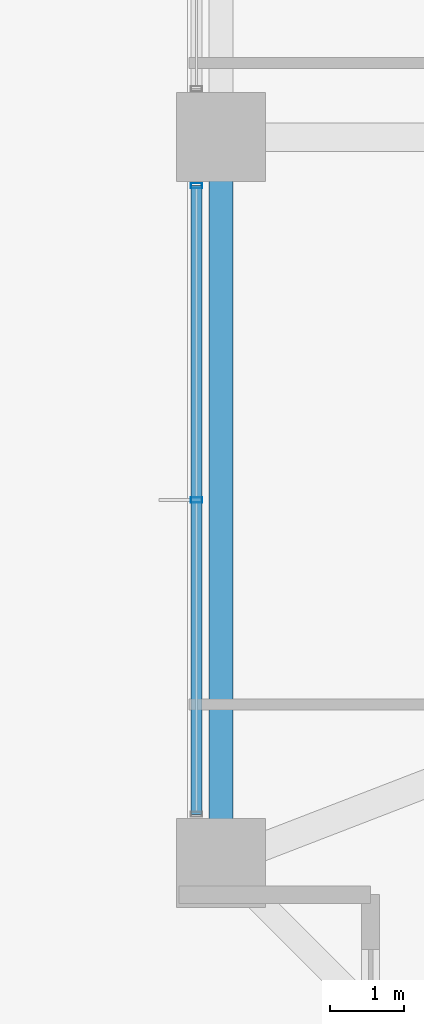
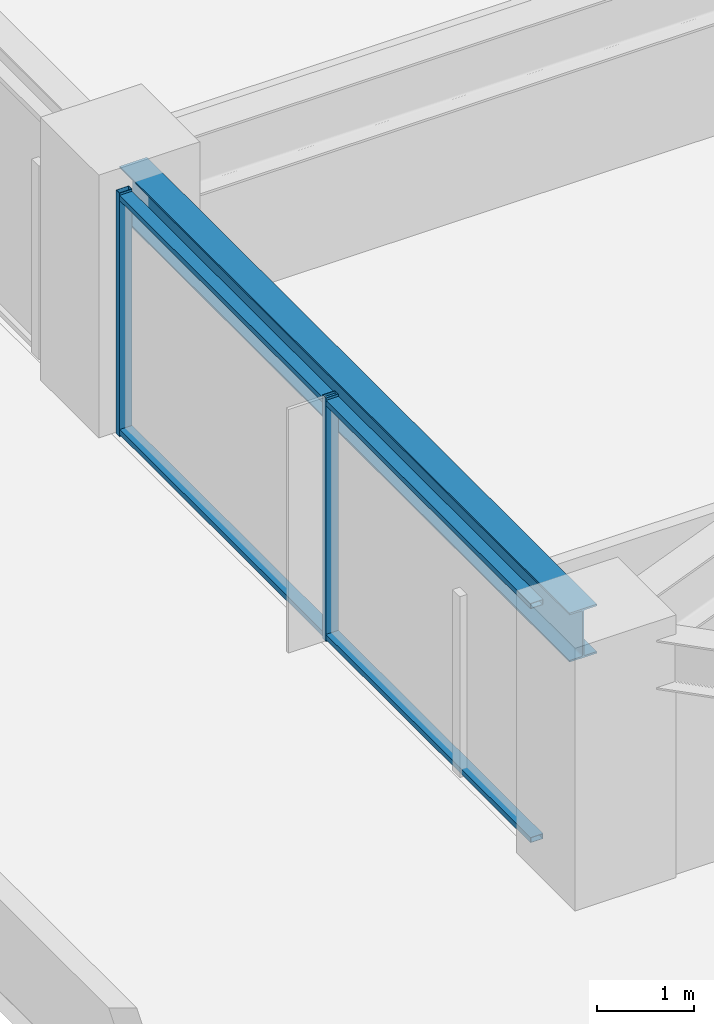
# One storey, part 6 of 36: 4 members, 1 beam, 1 element without a shape of its own.
"""IFC4 building model written with IfcOpenShell, lengths in metres."""

from ifc_helpers import new_model, si_unit, direction, frame, origin, origin_2d, place, context, subcontext, project, spatial, hollow_rectangle, i_section, extrude, material, material_profile, profile_set, type_object, element, aggregate, save


model = new_model("IFC4")

# Units and contexts
model_context = context("Model", 3, precision=1e-05, world=origin(), true_north=direction((0.0, 1.0)))
body_context = subcontext(model_context, "Body", "Model", "MODEL_VIEW")
ifc_project = project(units=[si_unit("LENGTHUNIT", "METRE"), si_unit("AREAUNIT", "SQUARE_METRE"), si_unit("VOLUMEUNIT", "CUBIC_METRE"), si_unit("PLANEANGLEUNIT", "RADIAN"), si_unit("MASSUNIT", "GRAM", prefix="KILO")], contexts=[model_context])

# Site, building, storey
site_placement = place(None, origin())
site = spatial("IfcSite", under=ifc_project, at=site_placement, CompositionType="ELEMENT")
building_placement = place(site_placement, origin())
building = spatial("IfcBuilding", under=site, at=building_placement, Name="Kolvaren Belvedere", CompositionType="ELEMENT")
storey_placement = place(building_placement, frame((0.0, 0.0, 23.800048828125)))
storey = spatial("IfcBuildingStorey", under=building, at=storey_placement, Name="L06", CompositionType="ELEMENT", Elevation=23.800048828125)

# Beam
ifc_material_1 = material(Name="Structural steel ASTM A992 Grade 50", Category="steel")
ifc_material_profile_1 = material_profile(ifc_material_1, i_section(OverallWidth=0.324951171875, OverallDepth=0.615966796875, WebThickness=0.013916015625, FlangeThickness=0.021484375, FilletRadius=0.02001953125, at=origin_2d()), Name="W24X117")
ifc_profile_set_1 = profile_set([ifc_material_profile_1], Name="Structural steel ASTM A992 Grade 50")
beam_type = type_object("IfcBeamType", Name="BM-SPAN-W24X117", PredefinedType="SPANDREL", material=ifc_profile_set_1)
beam_placement = place(storey_placement, frame((-21.550048828125, -4.8701171875, 2.751953125), z_axis=(0.0, -1.0, 0.0), x_axis=(1.0, 0.0, 0.0)))
element("IfcBeam", 1, at=beam_placement, inside=storey, type_object=beam_type, Name="L06 Perimeter Spandrel W2-W1", PredefinedType="SPANDREL", context=body_context, shape_type="SweptSolid", body=[
    extrude(i_section(OverallWidth=0.324951171875, OverallDepth=0.615966796875, WebThickness=0.013916015625, FlangeThickness=0.021484375, FilletRadius=0.02001953125, at=origin_2d()), origin(), (0.0, 0.0, 1.0), 9.259765625),
])

# Curtain wall, members
ifc_material_2 = material(Name="Anodised pale-metal aluminium AA 6063-T6", Category="aluminium")
curtain_wall_type = type_object("IfcCurtainWallType", Name="CW-Z1-LOW", PredefinedType="NOTDEFINED", material=ifc_material_2)
curtain_wall_placement = place(storey_placement, origin())
curtain_wall = element("IfcCurtainWall", 2, at=curtain_wall_placement, inside=storey, type_object=curtain_wall_type, Name="L06 Unitised Curtain Wall FCW-L06-W-B1", PredefinedType="NOTDEFINED")
ifc_material_3 = material(Name="Anodised pale-metal aluminium AA 6063-T6", Category="aluminium")
ifc_material_profile_2 = material_profile(ifc_material_3, hollow_rectangle(XDim=0.070068359375, YDim=0.14990234375, WallThickness=0.004150390625, at=origin_2d()), Name="ALU-MUL-150X70")
ifc_profile_set_2 = profile_set([ifc_material_profile_2], Name="Anodised pale-metal aluminium AA 6063-T6")
member_type_1 = type_object("IfcMemberType", Name="CW-MUL-150", PredefinedType="MULLION", material=ifc_profile_set_2)
member_1_placement = place(storey_placement, frame((-21.8798828125, -9.5, 0.0), z_axis=(0.0, 0.0, 1.0), x_axis=(0.0, 1.0, 0.0)))
member_1 = element("IfcMember", 3, at=member_1_placement, type_object=member_type_1, Name="FCW-L06-W-B1 Unitised Mullion 2", PredefinedType="MULLION", context=body_context, shape_type="SweptSolid", body=[
    extrude(hollow_rectangle(XDim=0.070068359375, YDim=0.14990234375, WallThickness=0.004150390625, at=origin_2d()), origin(), (0.0, 0.0, 1.0), 3.06005859375),
])
member_2_placement = place(storey_placement, frame((-21.8798828125, -5.2548828125, 0.0), z_axis=(0.0, 0.0, 1.0), x_axis=(0.0, 1.0, 0.0)))
member_2 = element("IfcMember", 4, at=member_2_placement, type_object=member_type_1, Name="FCW-L06-W-B1 Unitised Mullion 3", PredefinedType="MULLION", context=body_context, shape_type="SweptSolid", body=[
    extrude(hollow_rectangle(XDim=0.070068359375, YDim=0.14990234375, WallThickness=0.004150390625, at=origin_2d()), origin(), (0.0, 0.0, 1.0), 3.06005859375),
])
ifc_material_4 = material(Name="Anodised pale-metal aluminium AA 6063-T6", Category="aluminium")
ifc_material_profile_3 = material_profile(ifc_material_4, hollow_rectangle(XDim=0.06494140625, YDim=0.14990234375, WallThickness=0.00390625, at=origin_2d()), Name="ALU-TRN-150X65")
ifc_profile_set_3 = profile_set([ifc_material_profile_3], Name="Anodised pale-metal aluminium AA 6063-T6")
member_type_2 = type_object("IfcMemberType", Name="CW-TRN-150", PredefinedType="USERDEFINED", material=ifc_profile_set_3)
member_3_placement = place(storey_placement, frame((-21.8798828125, -13.7451171875, 0.06005859375), z_axis=(0.0, 1.0, 0.0), x_axis=(0.0, 0.0, 1.0)))
member_3 = element("IfcMember", 5, at=member_3_placement, type_object=member_type_2, Name="FCW-L06-W-B1 Sill Transom", ObjectType="TRANSOM", PredefinedType="USERDEFINED", context=body_context, shape_type="SweptSolid", body=[
    extrude(hollow_rectangle(XDim=0.06494140625, YDim=0.14990234375, WallThickness=0.00390625, at=origin_2d()), origin(), (0.0, 0.0, 1.0), 8.490234375),
])
member_4_placement = place(storey_placement, frame((-21.8798828125, -13.7451171875, 3.0), z_axis=(0.0, 1.0, 0.0), x_axis=(0.0, 0.0, 1.0)))
member_4 = element("IfcMember", 6, at=member_4_placement, type_object=member_type_2, Name="FCW-L06-W-B1 Head Transom", ObjectType="TRANSOM", PredefinedType="USERDEFINED", context=body_context, shape_type="SweptSolid", body=[
    extrude(hollow_rectangle(XDim=0.06494140625, YDim=0.14990234375, WallThickness=0.00390625, at=origin_2d()), origin(), (0.0, 0.0, 1.0), 8.490234375),
])
aggregate(curtain_wall, [member_1, member_2, member_3, member_4])

save(model, "model.ifc")
